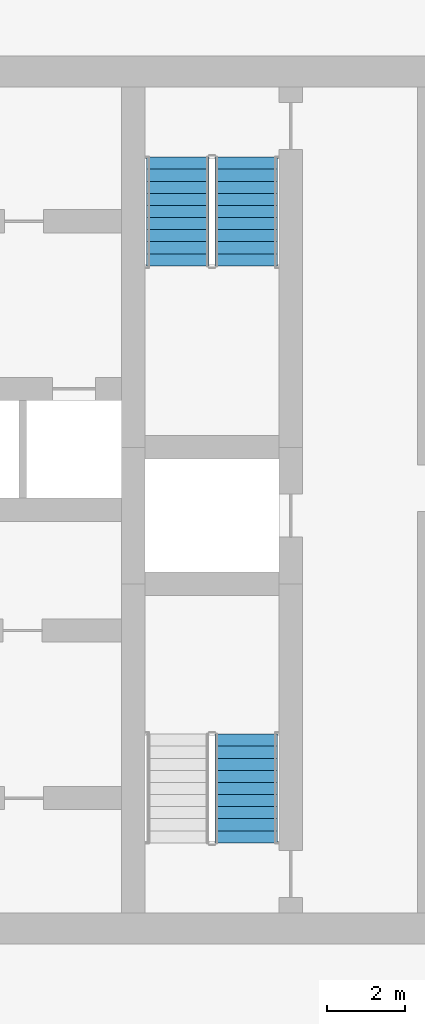
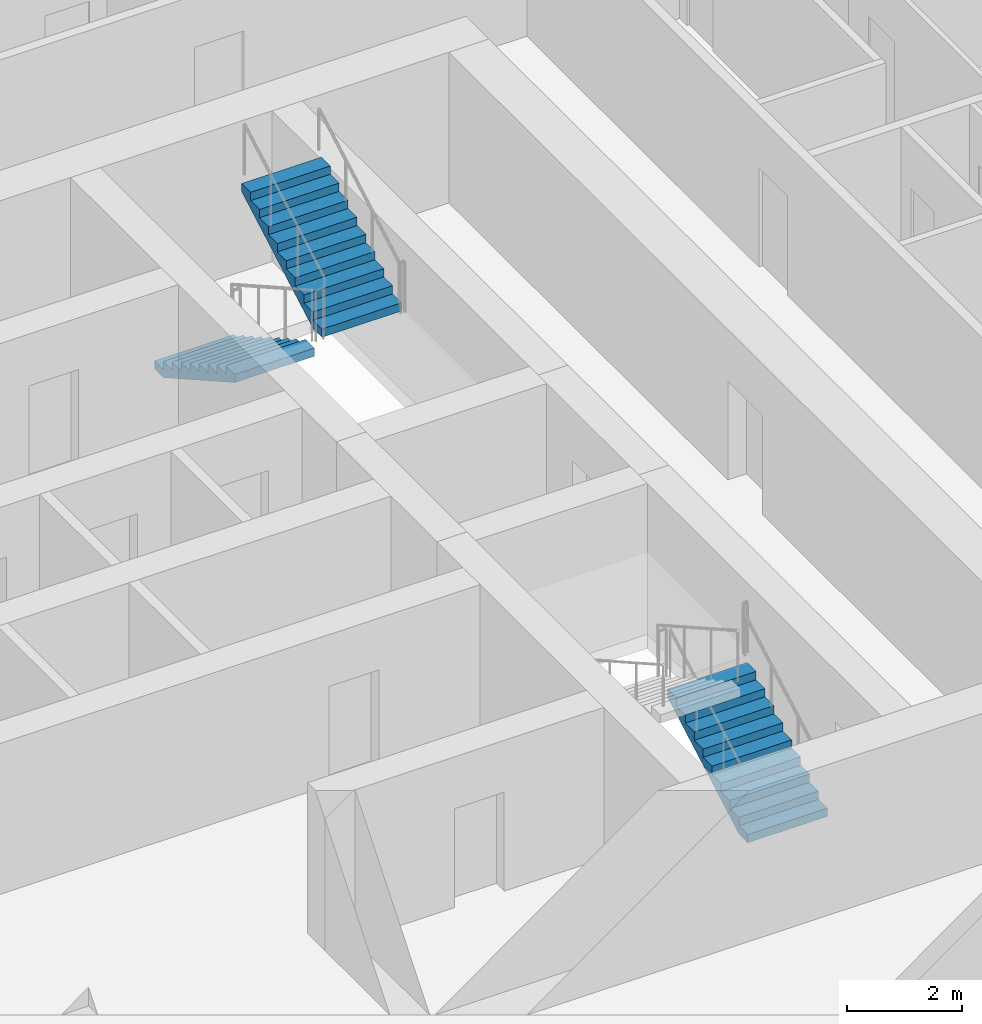
# One storey, part 16 of 22: 3 stair flights, 2 elements without a shape of their own.
"""IFC4 building model written with IfcOpenShell, lengths in metres."""

from ifc_helpers import new_model, si_unit, direction, frame, origin, place, context, subcontext, project, spatial, polyline, outline, extrude, material, type_object, element, aggregate, save


model = new_model("IFC4")

# Units and contexts
model_context = context("Model", 3, precision=1e-05, world=origin(), true_north=direction((0.0, 1.0)))
body_context = subcontext(model_context, "Body", "Model", "MODEL_VIEW")
ifc_project = project(units=[si_unit("LENGTHUNIT", "METRE"), si_unit("AREAUNIT", "SQUARE_METRE"), si_unit("VOLUMEUNIT", "CUBIC_METRE"), si_unit("PLANEANGLEUNIT", "RADIAN"), si_unit("MASSUNIT", "GRAM", prefix="KILO")], contexts=[model_context])

# Site, building, storey
site_placement = place(None, origin())
site = spatial("IfcSite", under=ifc_project, at=site_placement, CompositionType="ELEMENT")
building_placement = place(site_placement, origin())
building = spatial("IfcBuilding", under=site, at=building_placement, Name="Madar Terraces", CompositionType="ELEMENT")
storey_placement = place(building_placement, frame((0.0, 0.0, 163.0)))
storey = spatial("IfcBuildingStorey", under=building, at=storey_placement, Name="L42", CompositionType="ELEMENT", Elevation=163.0)

# Stair, stair flights
ifc_material_1 = material(Name="Concrete C50/60", Category="concrete")
stair_type_1 = type_object("IfcStairType", Name="Stair ST2 protected exit", PredefinedType="HALF_TURN_STAIR", material=ifc_material_1)
stair_1_placement = place(storey_placement, origin())
stair_1 = element("IfcStair", 1, at=stair_1_placement, inside=storey, type_object=stair_type_1, Name="L42 Protected Exit Stair ST2", PredefinedType="HALF_TURN_STAIR")
ifc_material_2 = material(Name="Concrete C50/60", Category="concrete")
stair_flight_type_1 = type_object("IfcStairFlightType", Name="Stair flight ST2-F4, 1600 wide, 10 risers", PredefinedType="STRAIGHT", material=ifc_material_2)
stair_flight_1_placement = place(storey_placement, frame((40.449951171875, 35.199951171875, 0.0), z_axis=(0.0, 0.0, 1.0), x_axis=(0.0, -1.0, 0.0)))
stair_flight_1 = element("IfcStairFlight", 2, at=stair_flight_1_placement, type_object=stair_flight_type_1, Name="ST2 flight 1", NumberOfRisers=10, NumberOfTreads=9, PredefinedType="STRAIGHT", RiserHeight=0.175, TreadLength=0.31, context=body_context, shape_type="SweptSolid", body=[
    extrude(outline(polyline([(0.0, 0.0), (0.0, 0.175048828125), (0.31005859375, 0.175048828125), (0.31005859375, 0.35009765625), (0.6201171875, 0.35009765625), (0.6201171875, 0.52490234375), (0.929931640625, 0.52490234375), (0.929931640625, 0.699951171875), (1.239990234375, 0.699951171875), (1.239990234375, 0.875), (1.550048828125, 0.875), (1.550048828125, 1.050048828125), (1.860107421875, 1.050048828125), (1.860107421875, 1.22509765625), (2.169921875, 1.22509765625), (2.169921875, 1.39990234375), (2.47998046875, 1.39990234375), (2.47998046875, 1.574951171875), (2.7900390625, 1.574951171875), (2.7900390625, 1.75), (2.7900390625, 1.40283203125), (0.304931640625, 0.0), (0.0, 0.0)])), frame((0.0, 0.800048828125, 0.0), z_axis=(0.0, -1.0, 0.0), x_axis=(1.0, 0.0, 0.0)), (0.0, 0.0, 1.0), 1.60009765625),
])
stair_flight_2_placement = place(storey_placement, frame((42.199951171875, 32.409912109375, 1.75), z_axis=(0.0, 0.0, 1.0), x_axis=(0.0, 1.0, 0.0)))
stair_flight_2 = element("IfcStairFlight", 3, at=stair_flight_2_placement, type_object=stair_flight_type_1, Name="ST2 flight 2", NumberOfRisers=10, NumberOfTreads=9, PredefinedType="STRAIGHT", RiserHeight=0.175, TreadLength=0.31, context=body_context, shape_type="SweptSolid", body=[
    extrude(outline(polyline([(0.0, 0.0), (0.0, 0.175048828125), (0.31005859375, 0.175048828125), (0.31005859375, 0.35009765625), (0.6201171875, 0.35009765625), (0.6201171875, 0.52490234375), (0.929931640625, 0.52490234375), (0.929931640625, 0.699951171875), (1.239990234375, 0.699951171875), (1.239990234375, 0.875), (1.550048828125, 0.875), (1.550048828125, 1.050048828125), (1.860107421875, 1.050048828125), (1.860107421875, 1.22509765625), (2.169921875, 1.22509765625), (2.169921875, 1.39990234375), (2.47998046875, 1.39990234375), (2.47998046875, 1.574951171875), (2.7900390625, 1.574951171875), (2.7900390625, 1.75), (2.7900390625, 1.40283203125), (0.304931640625, 0.0), (0.0, 0.0)])), frame((0.0, 0.800048828125, 0.0), z_axis=(0.0, -1.0, 0.0), x_axis=(1.0, 0.0, 0.0)), (0.0, 0.0, 1.0), 1.60009765625),
])
aggregate(stair_1, [stair_flight_1, stair_flight_2])

# Stair, stair flight
ifc_material_3 = material(Name="Concrete C50/60", Category="concrete")
stair_type_2 = type_object("IfcStairType", Name="Stair ST3 protected exit", PredefinedType="HALF_TURN_STAIR", material=ifc_material_3)
stair_2_placement = place(storey_placement, origin())
stair_2 = element("IfcStair", 4, at=stair_2_placement, inside=storey, type_object=stair_type_2, Name="L42 Protected Exit Stair ST3", PredefinedType="HALF_TURN_STAIR")
ifc_material_4 = material(Name="Concrete C50/60", Category="concrete")
stair_flight_type_2 = type_object("IfcStairFlightType", Name="Stair flight ST3-F4, 1600 wide, 10 risers", PredefinedType="STRAIGHT", material=ifc_material_4)
stair_flight_3_placement = place(storey_placement, frame((42.199951171875, 17.60009765625, 0.0), z_axis=(0.0, 0.0, 1.0), x_axis=(0.0, 1.0, 0.0)))
stair_flight_3 = element("IfcStairFlight", 5, at=stair_flight_3_placement, type_object=stair_flight_type_2, Name="ST3 flight 1", NumberOfRisers=10, NumberOfTreads=9, PredefinedType="STRAIGHT", RiserHeight=0.175, TreadLength=0.31, context=body_context, shape_type="SweptSolid", body=[
    extrude(outline(polyline([(0.0, 0.0), (0.0, 0.175048828125), (0.31005859375, 0.175048828125), (0.31005859375, 0.35009765625), (0.6201171875, 0.35009765625), (0.6201171875, 0.52490234375), (0.929931640625, 0.52490234375), (0.929931640625, 0.699951171875), (1.239990234375, 0.699951171875), (1.239990234375, 0.875), (1.550048828125, 0.875), (1.550048828125, 1.050048828125), (1.860107421875, 1.050048828125), (1.860107421875, 1.22509765625), (2.169921875, 1.22509765625), (2.169921875, 1.39990234375), (2.47998046875, 1.39990234375), (2.47998046875, 1.574951171875), (2.7900390625, 1.574951171875), (2.7900390625, 1.75), (2.7900390625, 1.40283203125), (0.304931640625, 0.0), (0.0, 0.0)])), frame((0.0, 0.800048828125, 0.0), z_axis=(0.0, -1.0, 0.0), x_axis=(1.0, 0.0, 0.0)), (0.0, 0.0, 1.0), 1.60009765625),
])
aggregate(stair_2, [stair_flight_3])

save(model, "model.ifc")
